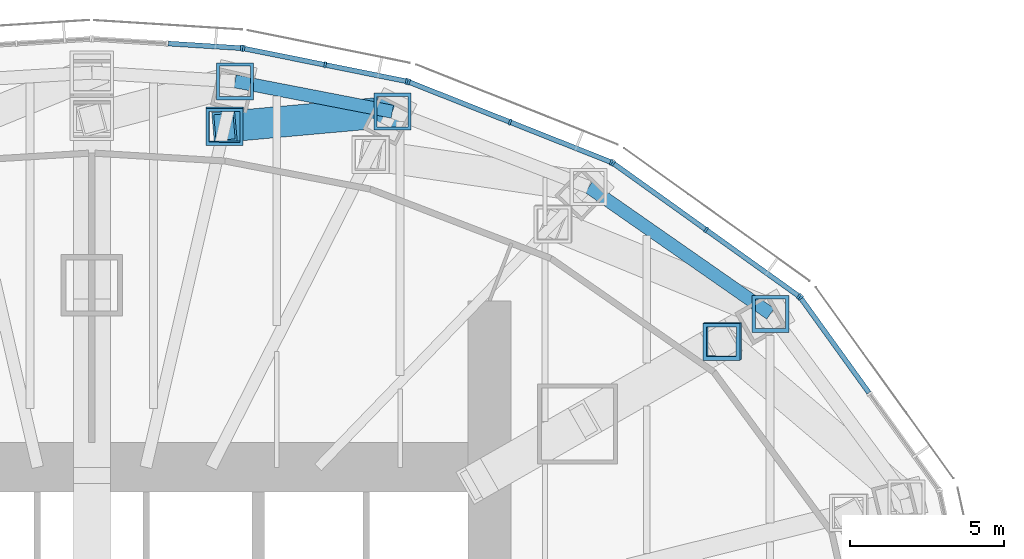
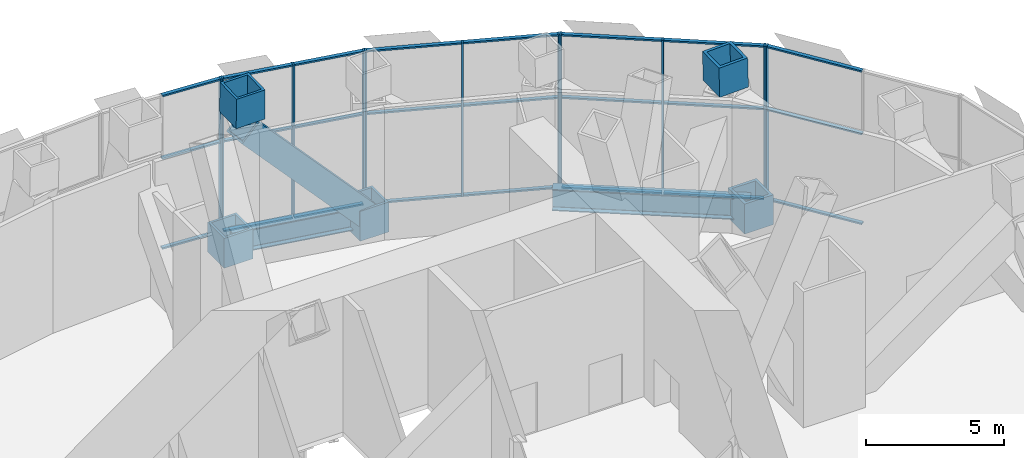
# One storey, part 10 of 19: 41 members, 2 beams, 5 elements without a shape of their own.
"""IFC4 building model written with IfcOpenShell, lengths in metres."""

from ifc_helpers import new_model, si_unit, direction, frame, origin, origin_2d, place, context, subcontext, project, spatial, rectangle, hollow_rectangle, i_section, extrude, material, material_profile, profile_set, type_object, element, aggregate, save


model = new_model("IFC4")

# Units and contexts
model_context = context("Model", 3, precision=1e-05, world=origin(), true_north=direction((0.0, 1.0)))
body_context = subcontext(model_context, "Body", "Model", "MODEL_VIEW")
ifc_project = project(units=[si_unit("LENGTHUNIT", "METRE"), si_unit("AREAUNIT", "SQUARE_METRE"), si_unit("VOLUMEUNIT", "CUBIC_METRE"), si_unit("PLANEANGLEUNIT", "RADIAN"), si_unit("MASSUNIT", "GRAM", prefix="KILO")], contexts=[model_context])

# Site, building, storey
site_placement = place(None, origin())
site = spatial("IfcSite", under=ifc_project, at=site_placement, CompositionType="ELEMENT")
building_placement = place(site_placement, origin())
building = spatial("IfcBuilding", under=site, at=building_placement, Name="Lantaw Convention Tower", CompositionType="ELEMENT")
storey_placement = place(building_placement, frame((0.0, 0.0, 193.0)))
storey = spatial("IfcBuildingStorey", under=building, at=storey_placement, Name="L45", CompositionType="ELEMENT", Elevation=193.0)

# Beams
ifc_material_1 = material(Name="Steel ASTM A992", Category="steel")
ifc_material_profile_1 = material_profile(ifc_material_1, i_section(OverallWidth=0.424072265625, OverallDepth=0.947509765625, WebThickness=0.02392578125, FlangeThickness=0.042724609375, FilletRadius=0.012451171875, at=origin_2d()), Name="W36X302")
ifc_profile_set_1 = profile_set([ifc_material_profile_1], Name="Steel ASTM A992")
beam_type = type_object("IfcBeamType", Name="Beam BC W36X302", PredefinedType="SPANDREL", material=ifc_profile_set_1)
beam_1_placement = place(storey_placement, frame((22.013916015625, 12.579345703125, -0.673828125), z_axis=(-0.820310765287, 0.57191804339, 0.0), x_axis=(-0.57191804339, -0.820310765287, 0.0)))
element("IfcBeam", 1, at=beam_1_placement, inside=storey, type_object=beam_type, Name="Belt truss chord 3", PredefinedType="SPANDREL", context=body_context, shape_type="SweptSolid", body=[
    extrude(i_section(OverallWidth=0.424072265625, OverallDepth=0.947509765625, WebThickness=0.02392578125, FlangeThickness=0.042724609375, FilletRadius=0.012451171875, at=origin_2d()), origin(), (0.0, 0.0, 1.0), 7.187744140625),
])
beam_2_placement = place(storey_placement, frame((9.74853515625, 19.1328125, -0.673828125), z_axis=(-0.981796805654, 0.189934284446, 0.0), x_axis=(-0.189934284446, -0.981796805654, 0.0)))
element("IfcBeam", 2, at=beam_2_placement, inside=storey, type_object=beam_type, Name="Belt truss chord 5", PredefinedType="SPANDREL", context=body_context, shape_type="SweptSolid", body=[
    extrude(i_section(OverallWidth=0.424072265625, OverallDepth=0.947509765625, WebThickness=0.02392578125, FlangeThickness=0.042724609375, FilletRadius=0.012451171875, at=origin_2d()), origin(), (0.0, 0.0, 1.0), 5.1982421875),
])

# Curtain wall, member
ifc_material_2 = material(Name="Aluminium framed curtain wall", Category="aluminium")
curtain_wall_type = type_object("IfcCurtainWallType", Name="Plant floor louvre wall, pale aluminium", PredefinedType="USERDEFINED", material=ifc_material_2)
curtain_wall_1_placement = place(storey_placement, origin())
curtain_wall_1 = element("IfcCurtainWall", 3, at=curtain_wall_1_placement, inside=storey, type_object=curtain_wall_type, Name="Plant floor louvre wall, pale aluminium L45", ObjectType="LOUVRE WALL", PredefinedType="USERDEFINED")
ifc_material_3 = material(Name="Aluminium 6063-T6", Category="aluminium")
ifc_material_profile_2 = material_profile(ifc_material_3, rectangle(XDim=0.199951171875, YDim=0.070068359375, at=origin_2d()), Name="CW-LV mullion 70x200")
ifc_profile_set_2 = profile_set([ifc_material_profile_2], Name="Aluminium 6063-T6")
member_type_1 = type_object("IfcMemberType", Name="CW-LV mullion 70x200", PredefinedType="MULLION", material=ifc_profile_set_2)
member_1_placement = place(storey_placement, frame((22.989501953125, 13.0966796875, -1.0), z_axis=(0.0, 0.0, 1.0), x_axis=(-0.811384633629, -0.584512597221, 0.0)))
member_1 = element("IfcMember", 4, at=member_1_placement, type_object=member_type_1, Name="CW-LV mullion 3", PredefinedType="MULLION", context=body_context, shape_type="SweptSolid", body=[
    extrude(rectangle(XDim=0.199951171875, YDim=0.070068359375, at=origin_2d()), origin(), (0.0, 0.0, 1.0), 6.800048828125),
])

# Curtain wall, members
curtain_wall_2_placement = place(storey_placement, origin())
curtain_wall_2 = element("IfcCurtainWall", 5, at=curtain_wall_2_placement, inside=storey, type_object=curtain_wall_type, Name="Plant floor louvre wall, pale aluminium L45", ObjectType="LOUVRE WALL", PredefinedType="USERDEFINED")
member_2_placement = place(storey_placement, frame((22.940673828125, 13.1455078125, -1.0), z_axis=(0.0, 0.0, 1.0), x_axis=(-0.581972695693, -0.813208325995, 0.0)))
member_2 = element("IfcMember", 6, at=member_2_placement, type_object=member_type_1, Name="CW-LV mullion 1", PredefinedType="MULLION", context=body_context, shape_type="SweptSolid", body=[
    extrude(rectangle(XDim=0.199951171875, YDim=0.070068359375, at=origin_2d()), origin(), (0.0, 0.0, 1.0), 6.800048828125),
])
member_3_placement = place(storey_placement, frame((19.92529296875, 15.303466796875, -1.0), z_axis=(0.0, 0.0, 1.0), x_axis=(-0.581972695693, -0.813208325995, 0.0)))
member_3 = element("IfcMember", 7, at=member_3_placement, type_object=member_type_1, Name="CW-LV mullion 2", PredefinedType="MULLION", context=body_context, shape_type="SweptSolid", body=[
    extrude(rectangle(XDim=0.199951171875, YDim=0.070068359375, at=origin_2d()), origin(), (0.0, 0.0, 1.0), 6.800048828125),
])
member_4_placement = place(storey_placement, frame((16.91015625, 17.461181640625, -1.0), z_axis=(0.0, 0.0, 1.0), x_axis=(-0.581972695693, -0.813208325995, 0.0)))
member_4 = element("IfcMember", 8, at=member_4_placement, type_object=member_type_1, Name="CW-LV mullion 3", PredefinedType="MULLION", context=body_context, shape_type="SweptSolid", body=[
    extrude(rectangle(XDim=0.199951171875, YDim=0.070068359375, at=origin_2d()), origin(), (0.0, 0.0, 1.0), 6.800048828125),
])

curtain_wall_3_placement = place(storey_placement, origin())
curtain_wall_3 = element("IfcCurtainWall", 9, at=curtain_wall_3_placement, inside=storey, type_object=curtain_wall_type, Name="Plant floor louvre wall, pale aluminium L45", ObjectType="LOUVRE WALL", PredefinedType="USERDEFINED")
member_5_placement = place(storey_placement, frame((16.84912109375, 17.494384765625, -1.0), z_axis=(0.0, 0.0, 1.0), x_axis=(-0.368701907483, -0.929547687544, 0.0)))
member_5 = element("IfcMember", 10, at=member_5_placement, type_object=member_type_1, Name="CW-LV mullion 1", PredefinedType="MULLION", context=body_context, shape_type="SweptSolid", body=[
    extrude(rectangle(XDim=0.199951171875, YDim=0.070068359375, at=origin_2d()), origin(), (0.0, 0.0, 1.0), 6.800048828125),
])
member_6_placement = place(storey_placement, frame((13.56494140625, 18.797119140625, -1.0), z_axis=(0.0, 0.0, 1.0), x_axis=(-0.368701907483, -0.929547687544, 0.0)))
member_6 = element("IfcMember", 11, at=member_6_placement, type_object=member_type_1, Name="CW-LV mullion 2", PredefinedType="MULLION", context=body_context, shape_type="SweptSolid", body=[
    extrude(rectangle(XDim=0.199951171875, YDim=0.070068359375, at=origin_2d()), origin(), (0.0, 0.0, 1.0), 6.800048828125),
])
member_7_placement = place(storey_placement, frame((10.280517578125, 20.099853515625, -1.0), z_axis=(0.0, 0.0, 1.0), x_axis=(-0.368701907483, -0.929547687544, 0.0)))
member_7 = element("IfcMember", 12, at=member_7_placement, type_object=member_type_1, Name="CW-LV mullion 3", PredefinedType="MULLION", context=body_context, shape_type="SweptSolid", body=[
    extrude(rectangle(XDim=0.199951171875, YDim=0.070068359375, at=origin_2d()), origin(), (0.0, 0.0, 1.0), 6.800048828125),
])

curtain_wall_4_placement = place(storey_placement, origin())
curtain_wall_4 = element("IfcCurtainWall", 13, at=curtain_wall_4_placement, inside=storey, type_object=curtain_wall_type, Name="Plant floor louvre wall, pale aluminium L45", ObjectType="LOUVRE WALL", PredefinedType="USERDEFINED")
member_8_placement = place(storey_placement, frame((10.213623046875, 20.11962890625, -1.0), z_axis=(0.0, 0.0, 1.0), x_axis=(-0.197506809659, -0.980301514912, 0.0)))
member_8 = element("IfcMember", 14, at=member_8_placement, type_object=member_type_1, Name="CW-LV mullion 1", PredefinedType="MULLION", context=body_context, shape_type="SweptSolid", body=[
    extrude(rectangle(XDim=0.199951171875, YDim=0.070068359375, at=origin_2d()), origin(), (0.0, 0.0, 1.0), 6.800048828125),
])
member_9_placement = place(storey_placement, frame((7.5703125, 20.65234375, -1.0), z_axis=(0.0, 0.0, 1.0), x_axis=(-0.197506809659, -0.980301514912, 0.0)))
member_9 = element("IfcMember", 15, at=member_9_placement, type_object=member_type_1, Name="CW-LV mullion 2", PredefinedType="MULLION", context=body_context, shape_type="SweptSolid", body=[
    extrude(rectangle(XDim=0.199951171875, YDim=0.070068359375, at=origin_2d()), origin(), (0.0, 0.0, 1.0), 6.800048828125),
])
member_10_placement = place(storey_placement, frame((4.9267578125, 21.184814453125, -1.0), z_axis=(0.0, 0.0, 1.0), x_axis=(-0.197506809659, -0.980301514912, 0.0)))
member_10 = element("IfcMember", 16, at=member_10_placement, type_object=member_type_1, Name="CW-LV mullion 3", PredefinedType="MULLION", context=body_context, shape_type="SweptSolid", body=[
    extrude(rectangle(XDim=0.199951171875, YDim=0.070068359375, at=origin_2d()), origin(), (0.0, 0.0, 1.0), 6.800048828125),
])

# Curtain wall, member
curtain_wall_5_placement = place(storey_placement, origin())
curtain_wall_5 = element("IfcCurtainWall", 17, at=curtain_wall_5_placement, inside=storey, type_object=curtain_wall_type, Name="Plant floor louvre wall, pale aluminium L45", ObjectType="LOUVRE WALL", PredefinedType="USERDEFINED")
member_11_placement = place(storey_placement, frame((4.857666015625, 21.194091796875, -1.0), z_axis=(0.0, 0.0, 1.0), x_axis=(-0.062865059466, -0.998022035978, 0.0)))
member_11 = element("IfcMember", 18, at=member_11_placement, type_object=member_type_1, Name="CW-LV mullion 1", PredefinedType="MULLION", context=body_context, shape_type="SweptSolid", body=[
    extrude(rectangle(XDim=0.199951171875, YDim=0.070068359375, at=origin_2d()), origin(), (0.0, 0.0, 1.0), 6.800048828125),
])

# Member
ifc_material_profile_3 = material_profile(ifc_material_3, rectangle(XDim=0.159912109375, YDim=0.070068359375, at=origin_2d()), Name="CW-LV transom 70x160")
ifc_profile_set_3 = profile_set([ifc_material_profile_3], Name="Aluminium 6063-T6")
member_type_2 = type_object("IfcMemberType", Name="CW-LV transom 70x160", PredefinedType="USERDEFINED", material=ifc_profile_set_3)
member_12_placement = place(storey_placement, frame((25.207763671875, 10.017578125, -0.965087890625), z_axis=(-0.584513390493, 0.811384062164, 0.0), x_axis=(-0.811384062164, -0.584513390493, 0.0)))
member_12 = element("IfcMember", 19, at=member_12_placement, type_object=member_type_2, Name="CW-LV transom 2.1", ObjectType="TRANSOM", PredefinedType="USERDEFINED", context=body_context, shape_type="SweptSolid", body=[
    extrude(rectangle(XDim=0.159912109375, YDim=0.070068359375, at=origin_2d()), origin(), (0.0, 0.0, 1.0), 3.760009765625),
])

member_13_placement = place(storey_placement, frame((25.207763671875, 10.017578125, 3.0), z_axis=(-0.584513390493, 0.811384062164, 0.0), x_axis=(-0.811384062164, -0.584513390493, 0.0)))
member_13 = element("IfcMember", 20, at=member_13_placement, type_object=member_type_2, Name="CW-LV transom 2.2", ObjectType="TRANSOM", PredefinedType="USERDEFINED", context=body_context, shape_type="SweptSolid", body=[
    extrude(rectangle(XDim=0.159912109375, YDim=0.070068359375, at=origin_2d()), origin(), (0.0, 0.0, 1.0), 3.760009765625),
])

member_14_placement = place(storey_placement, frame((25.207763671875, 10.017578125, 5.764892578125), z_axis=(-0.584513390493, 0.811384062164, 0.0), x_axis=(-0.811384062164, -0.584513390493, 0.0)))
member_14 = element("IfcMember", 21, at=member_14_placement, type_object=member_type_2, Name="CW-LV transom 2.3", ObjectType="TRANSOM", PredefinedType="USERDEFINED", context=body_context, shape_type="SweptSolid", body=[
    extrude(rectangle(XDim=0.159912109375, YDim=0.070068359375, at=origin_2d()), origin(), (0.0, 0.0, 1.0), 3.760009765625),
])

aggregate(curtain_wall_1, [member_1, member_12, member_13, member_14])

member_15_placement = place(storey_placement, frame((22.912109375, 13.166015625, -0.965087890625), z_axis=(-0.813225267736, 0.58194902175, 0.0), x_axis=(-0.58194902175, -0.813225267736, 0.0)))
member_15 = element("IfcMember", 22, at=member_15_placement, type_object=member_type_2, Name="CW-LV transom 1.1", ObjectType="TRANSOM", PredefinedType="USERDEFINED", context=body_context, shape_type="SweptSolid", body=[
    extrude(rectangle(XDim=0.159912109375, YDim=0.070068359375, at=origin_2d()), origin(), (0.0, 0.0, 1.0), 3.6376953125),
])

member_16_placement = place(storey_placement, frame((22.912109375, 13.166015625, 3.0), z_axis=(-0.813225267736, 0.58194902175, 0.0), x_axis=(-0.58194902175, -0.813225267736, 0.0)))
member_16 = element("IfcMember", 23, at=member_16_placement, type_object=member_type_2, Name="CW-LV transom 1.2", ObjectType="TRANSOM", PredefinedType="USERDEFINED", context=body_context, shape_type="SweptSolid", body=[
    extrude(rectangle(XDim=0.159912109375, YDim=0.070068359375, at=origin_2d()), origin(), (0.0, 0.0, 1.0), 3.6376953125),
])

member_17_placement = place(storey_placement, frame((22.912109375, 13.166015625, 5.764892578125), z_axis=(-0.813225267736, 0.58194902175, 0.0), x_axis=(-0.58194902175, -0.813225267736, 0.0)))
member_17 = element("IfcMember", 24, at=member_17_placement, type_object=member_type_2, Name="CW-LV transom 1.3", ObjectType="TRANSOM", PredefinedType="USERDEFINED", context=body_context, shape_type="SweptSolid", body=[
    extrude(rectangle(XDim=0.159912109375, YDim=0.070068359375, at=origin_2d()), origin(), (0.0, 0.0, 1.0), 3.6376953125),
])

member_18_placement = place(storey_placement, frame((19.89697265625, 15.32373046875, -0.965087890625), z_axis=(-0.813193505493, 0.581993404278, 0.0), x_axis=(-0.581993404278, -0.813193505493, 0.0)))
member_18 = element("IfcMember", 25, at=member_18_placement, type_object=member_type_2, Name="CW-LV transom 2.1", ObjectType="TRANSOM", PredefinedType="USERDEFINED", context=body_context, shape_type="SweptSolid", body=[
    extrude(rectangle(XDim=0.159912109375, YDim=0.070068359375, at=origin_2d()), origin(), (0.0, 0.0, 1.0), 3.637939453125),
])

member_19_placement = place(storey_placement, frame((19.89697265625, 15.32373046875, 3.0), z_axis=(-0.813193505493, 0.581993404278, 0.0), x_axis=(-0.581993404278, -0.813193505493, 0.0)))
member_19 = element("IfcMember", 26, at=member_19_placement, type_object=member_type_2, Name="CW-LV transom 2.2", ObjectType="TRANSOM", PredefinedType="USERDEFINED", context=body_context, shape_type="SweptSolid", body=[
    extrude(rectangle(XDim=0.159912109375, YDim=0.070068359375, at=origin_2d()), origin(), (0.0, 0.0, 1.0), 3.637939453125),
])

member_20_placement = place(storey_placement, frame((19.89697265625, 15.32373046875, 5.764892578125), z_axis=(-0.813193505493, 0.581993404278, 0.0), x_axis=(-0.581993404278, -0.813193505493, 0.0)))
member_20 = element("IfcMember", 27, at=member_20_placement, type_object=member_type_2, Name="CW-LV transom 2.3", ObjectType="TRANSOM", PredefinedType="USERDEFINED", context=body_context, shape_type="SweptSolid", body=[
    extrude(rectangle(XDim=0.159912109375, YDim=0.070068359375, at=origin_2d()), origin(), (0.0, 0.0, 1.0), 3.637939453125),
])

aggregate(curtain_wall_2, [member_2, member_3, member_4, member_15, member_16, member_17, member_18, member_19, member_20])

member_21_placement = place(storey_placement, frame((16.816650390625, 17.50732421875, -0.965087890625), z_axis=(-0.929552078691, 0.368690836611, 0.0), x_axis=(-0.368690836611, -0.929552078691, 0.0)))
member_21 = element("IfcMember", 28, at=member_21_placement, type_object=member_type_2, Name="CW-LV transom 1.1", ObjectType="TRANSOM", PredefinedType="USERDEFINED", context=body_context, shape_type="SweptSolid", body=[
    extrude(rectangle(XDim=0.159912109375, YDim=0.070068359375, at=origin_2d()), origin(), (0.0, 0.0, 1.0), 3.463134765625),
])

member_22_placement = place(storey_placement, frame((16.816650390625, 17.50732421875, 3.0), z_axis=(-0.929552078691, 0.368690836611, 0.0), x_axis=(-0.368690836611, -0.929552078691, 0.0)))
member_22 = element("IfcMember", 29, at=member_22_placement, type_object=member_type_2, Name="CW-LV transom 1.2", ObjectType="TRANSOM", PredefinedType="USERDEFINED", context=body_context, shape_type="SweptSolid", body=[
    extrude(rectangle(XDim=0.159912109375, YDim=0.070068359375, at=origin_2d()), origin(), (0.0, 0.0, 1.0), 3.463134765625),
])

member_23_placement = place(storey_placement, frame((16.816650390625, 17.50732421875, 5.764892578125), z_axis=(-0.929552078691, 0.368690836611, 0.0), x_axis=(-0.368690836611, -0.929552078691, 0.0)))
member_23 = element("IfcMember", 30, at=member_23_placement, type_object=member_type_2, Name="CW-LV transom 1.3", ObjectType="TRANSOM", PredefinedType="USERDEFINED", context=body_context, shape_type="SweptSolid", body=[
    extrude(rectangle(XDim=0.159912109375, YDim=0.070068359375, at=origin_2d()), origin(), (0.0, 0.0, 1.0), 3.463134765625),
])

member_24_placement = place(storey_placement, frame((13.5322265625, 18.81005859375, -0.965087890625), z_axis=(-0.929552078691, 0.368690836611, 0.0), x_axis=(-0.368690836611, -0.929552078691, 0.0)))
member_24 = element("IfcMember", 31, at=member_24_placement, type_object=member_type_2, Name="CW-LV transom 2.1", ObjectType="TRANSOM", PredefinedType="USERDEFINED", context=body_context, shape_type="SweptSolid", body=[
    extrude(rectangle(XDim=0.159912109375, YDim=0.070068359375, at=origin_2d()), origin(), (0.0, 0.0, 1.0), 3.463134765625),
])

member_25_placement = place(storey_placement, frame((13.5322265625, 18.81005859375, 3.0), z_axis=(-0.929552078691, 0.368690836611, 0.0), x_axis=(-0.368690836611, -0.929552078691, 0.0)))
member_25 = element("IfcMember", 32, at=member_25_placement, type_object=member_type_2, Name="CW-LV transom 2.2", ObjectType="TRANSOM", PredefinedType="USERDEFINED", context=body_context, shape_type="SweptSolid", body=[
    extrude(rectangle(XDim=0.159912109375, YDim=0.070068359375, at=origin_2d()), origin(), (0.0, 0.0, 1.0), 3.463134765625),
])

member_26_placement = place(storey_placement, frame((13.5322265625, 18.81005859375, 5.764892578125), z_axis=(-0.929552078691, 0.368690836611, 0.0), x_axis=(-0.368690836611, -0.929552078691, 0.0)))
member_26 = element("IfcMember", 33, at=member_26_placement, type_object=member_type_2, Name="CW-LV transom 2.3", ObjectType="TRANSOM", PredefinedType="USERDEFINED", context=body_context, shape_type="SweptSolid", body=[
    extrude(rectangle(XDim=0.159912109375, YDim=0.070068359375, at=origin_2d()), origin(), (0.0, 0.0, 1.0), 3.463134765625),
])

aggregate(curtain_wall_3, [member_5, member_6, member_7, member_21, member_22, member_23, member_24, member_25, member_26])

member_27_placement = place(storey_placement, frame((10.179443359375, 20.126708984375, -0.965087890625), z_axis=(-0.980300846737, 0.197510126037, 0.0), x_axis=(-0.197510126037, -0.980300846737, 0.0)))
member_27 = element("IfcMember", 34, at=member_27_placement, type_object=member_type_2, Name="CW-LV transom 1.1", ObjectType="TRANSOM", PredefinedType="USERDEFINED", context=body_context, shape_type="SweptSolid", body=[
    extrude(rectangle(XDim=0.159912109375, YDim=0.070068359375, at=origin_2d()), origin(), (0.0, 0.0, 1.0), 2.626708984375),
])

member_28_placement = place(storey_placement, frame((10.179443359375, 20.126708984375, 3.0), z_axis=(-0.980300846737, 0.197510126037, 0.0), x_axis=(-0.197510126037, -0.980300846737, 0.0)))
member_28 = element("IfcMember", 35, at=member_28_placement, type_object=member_type_2, Name="CW-LV transom 1.2", ObjectType="TRANSOM", PredefinedType="USERDEFINED", context=body_context, shape_type="SweptSolid", body=[
    extrude(rectangle(XDim=0.159912109375, YDim=0.070068359375, at=origin_2d()), origin(), (0.0, 0.0, 1.0), 2.626708984375),
])

member_29_placement = place(storey_placement, frame((10.179443359375, 20.126708984375, 5.764892578125), z_axis=(-0.980300846737, 0.197510126037, 0.0), x_axis=(-0.197510126037, -0.980300846737, 0.0)))
member_29 = element("IfcMember", 36, at=member_29_placement, type_object=member_type_2, Name="CW-LV transom 1.3", ObjectType="TRANSOM", PredefinedType="USERDEFINED", context=body_context, shape_type="SweptSolid", body=[
    extrude(rectangle(XDim=0.159912109375, YDim=0.070068359375, at=origin_2d()), origin(), (0.0, 0.0, 1.0), 2.626708984375),
])

member_30_placement = place(storey_placement, frame((7.535888671875, 20.6591796875, -0.965087890625), z_axis=(-0.980297220397, 0.197528123776, 0.0), x_axis=(-0.197528123776, -0.980297220397, 0.0)))
member_30 = element("IfcMember", 37, at=member_30_placement, type_object=member_type_2, Name="CW-LV transom 2.1", ObjectType="TRANSOM", PredefinedType="USERDEFINED", context=body_context, shape_type="SweptSolid", body=[
    extrude(rectangle(XDim=0.159912109375, YDim=0.070068359375, at=origin_2d()), origin(), (0.0, 0.0, 1.0), 2.62646484375),
])

member_31_placement = place(storey_placement, frame((7.535888671875, 20.6591796875, 3.0), z_axis=(-0.980297220397, 0.197528123776, 0.0), x_axis=(-0.197528123776, -0.980297220397, 0.0)))
member_31 = element("IfcMember", 38, at=member_31_placement, type_object=member_type_2, Name="CW-LV transom 2.2", ObjectType="TRANSOM", PredefinedType="USERDEFINED", context=body_context, shape_type="SweptSolid", body=[
    extrude(rectangle(XDim=0.159912109375, YDim=0.070068359375, at=origin_2d()), origin(), (0.0, 0.0, 1.0), 2.62646484375),
])

member_32_placement = place(storey_placement, frame((7.535888671875, 20.6591796875, 5.764892578125), z_axis=(-0.980297220397, 0.197528123776, 0.0), x_axis=(-0.197528123776, -0.980297220397, 0.0)))
member_32 = element("IfcMember", 39, at=member_32_placement, type_object=member_type_2, Name="CW-LV transom 2.3", ObjectType="TRANSOM", PredefinedType="USERDEFINED", context=body_context, shape_type="SweptSolid", body=[
    extrude(rectangle(XDim=0.159912109375, YDim=0.070068359375, at=origin_2d()), origin(), (0.0, 0.0, 1.0), 2.62646484375),
])

aggregate(curtain_wall_4, [member_8, member_9, member_10, member_27, member_28, member_29, member_30, member_31, member_32])

member_33_placement = place(storey_placement, frame((4.82275390625, 21.1962890625, -0.965087890625), z_axis=(-0.99802290903, 0.062851197691, 0.0), x_axis=(-0.062851197691, -0.99802290903, 0.0)))
member_33 = element("IfcMember", 40, at=member_33_placement, type_object=member_type_2, Name="CW-LV transom 1.1", ObjectType="TRANSOM", PredefinedType="USERDEFINED", context=body_context, shape_type="SweptSolid", body=[
    extrude(rectangle(XDim=0.159912109375, YDim=0.070068359375, at=origin_2d()), origin(), (0.0, 0.0, 1.0), 2.34619140625),
])

member_34_placement = place(storey_placement, frame((4.82275390625, 21.1962890625, 3.0), z_axis=(-0.99802290903, 0.062851197691, 0.0), x_axis=(-0.062851197691, -0.99802290903, 0.0)))
member_34 = element("IfcMember", 41, at=member_34_placement, type_object=member_type_2, Name="CW-LV transom 1.2", ObjectType="TRANSOM", PredefinedType="USERDEFINED", context=body_context, shape_type="SweptSolid", body=[
    extrude(rectangle(XDim=0.159912109375, YDim=0.070068359375, at=origin_2d()), origin(), (0.0, 0.0, 1.0), 2.34619140625),
])

member_35_placement = place(storey_placement, frame((4.82275390625, 21.1962890625, 5.764892578125), z_axis=(-0.99802290903, 0.062851197691, 0.0), x_axis=(-0.062851197691, -0.99802290903, 0.0)))
member_35 = element("IfcMember", 42, at=member_35_placement, type_object=member_type_2, Name="CW-LV transom 1.3", ObjectType="TRANSOM", PredefinedType="USERDEFINED", context=body_context, shape_type="SweptSolid", body=[
    extrude(rectangle(XDim=0.159912109375, YDim=0.070068359375, at=origin_2d()), origin(), (0.0, 0.0, 1.0), 2.34619140625),
])

aggregate(curtain_wall_5, [member_11, member_33, member_34, member_35])

# Members
ifc_material_4 = material(Name="Steel ASTM A572 Grade 50", Category="steel")
ifc_material_profile_4 = material_profile(ifc_material_4, hollow_rectangle(XDim=1.0, YDim=1.0, WallThickness=0.080078125, at=origin_2d()), Name="BOX1000X80")
ifc_profile_set_4 = profile_set([ifc_material_profile_4], Name="Steel ASTM A572 Grade 50")
member_type_3 = type_object("IfcMemberType", Name="Member BT BOX1000X80", PredefinedType="BRACE", material=ifc_profile_set_4)
member_36_placement = place(storey_placement, frame((9.74853515625, 19.1328125, -0.673828125), z_axis=(-0.66772074946, -0.060181996611, 0.741975153239), x_axis=(0.089766615144, -0.995962828024, 0.0)))
element("IfcMember", 43, at=member_36_placement, inside=storey, type_object=member_type_3, Name="Belt truss diagonal 5", PredefinedType="BRACE", context=body_context, shape_type="SweptSolid", body=[
    extrude(hollow_rectangle(XDim=1.0, YDim=1.0, WallThickness=0.080078125, at=origin_2d()), origin(), (0.0, 0.0, 1.0), 8.154052734375),
])
ifc_material_5 = material(Name="Cast steel ASTM A148 Grade 80-50", Category="steel")
ifc_material_profile_5 = material_profile(ifc_material_5, hollow_rectangle(XDim=1.199951171875, YDim=1.199951171875, WallThickness=0.10009765625, at=origin_2d()), Name="BOX1200X100")
ifc_profile_set_5 = profile_set([ifc_material_profile_5], Name="Cast steel ASTM A148 Grade 80-50")
member_type_4 = type_object("IfcMemberType", Name="Member CN BOX1200X100", PredefinedType="USERDEFINED", material=ifc_profile_set_5)
for number, where, z_axis, x_axis, name in (
    (44, (9.74853515625, 19.1328125, -1.320068359375), (0.0, 0.0, 1.0), (1.0, 0.0, 0.0), "Cast steel column node"),
    (45, (4.64501953125, 20.1201171875, -1.320068359375), (0.0, 0.0, 1.0), (1.0, 0.0, 0.0), "Cast steel column node"),
):
    element("IfcMember", number, at=place(storey_placement, frame(where, z_axis=z_axis, x_axis=x_axis)), inside=storey, type_object=member_type_4, Name=name, ObjectType="COLUMN NODE", PredefinedType="USERDEFINED", context=body_context, shape_type="SweptSolid", body=[
        extrude(hollow_rectangle(XDim=1.199951171875, YDim=1.199951171875, WallThickness=0.10009765625, at=origin_2d()), origin(), (0.0, 0.0, 1.0), 1.320068359375),
    ])
member_37_placement = place(storey_placement, frame((4.3125, 18.678955078125, 5.849853515625), z_axis=(-0.006470432268, -0.027915293498, 0.999589350631), x_axis=(0.999978679056, -0.001060609157, 0.006443333047)))
element("IfcMember", 46, at=member_37_placement, inside=storey, type_object=member_type_4, Name="Cast steel column node", ObjectType="COLUMN NODE", PredefinedType="USERDEFINED", context=body_context, shape_type="SweptSolid", body=[
    extrude(hollow_rectangle(XDim=1.199951171875, YDim=1.199951171875, WallThickness=0.10009765625, at=origin_2d()), origin(), (0.0, 0.0, 1.0), 1.320556640625),
])
ifc_material_profile_6 = material_profile(ifc_material_5, hollow_rectangle(XDim=1.199951171875, YDim=1.199951171875, WallThickness=0.1201171875, at=origin_2d()), Name="BOX1200X120")
ifc_profile_set_6 = profile_set([ifc_material_profile_6], Name="Cast steel ASTM A148 Grade 80-50")
member_type_5 = type_object("IfcMemberType", Name="Member CN BOX1200X120", PredefinedType="USERDEFINED", material=ifc_profile_set_6)
member_38_placement = place(storey_placement, frame((22.013916015625, 12.579345703125, -1.320068359375), z_axis=(0.0, 0.0, 1.0), x_axis=(1.0, 0.0, 0.0)))
element("IfcMember", 47, at=member_38_placement, inside=storey, type_object=member_type_5, Name="Cast steel column node", ObjectType="COLUMN NODE", PredefinedType="USERDEFINED", context=body_context, shape_type="SweptSolid", body=[
    extrude(hollow_rectangle(XDim=1.199951171875, YDim=1.199951171875, WallThickness=0.1201171875, at=origin_2d()), origin(), (0.0, 0.0, 1.0), 1.320068359375),
])
member_39_placement = place(storey_placement, frame((20.47021484375, 11.697265625, 5.82177734375), z_axis=(-0.035664382557, -0.020326850162, 0.999157080233), x_axis=(0.999363186603, -0.001854198183, 0.035634017609)))
element("IfcMember", 48, at=member_39_placement, inside=storey, type_object=member_type_5, Name="Cast steel column node", ObjectType="COLUMN NODE", PredefinedType="USERDEFINED", context=body_context, shape_type="SweptSolid", body=[
    extrude(hollow_rectangle(XDim=1.199951171875, YDim=1.199951171875, WallThickness=0.1201171875, at=origin_2d()), origin(), (0.0, 0.0, 1.0), 1.3212890625),
])

save(model, "model.ifc")
